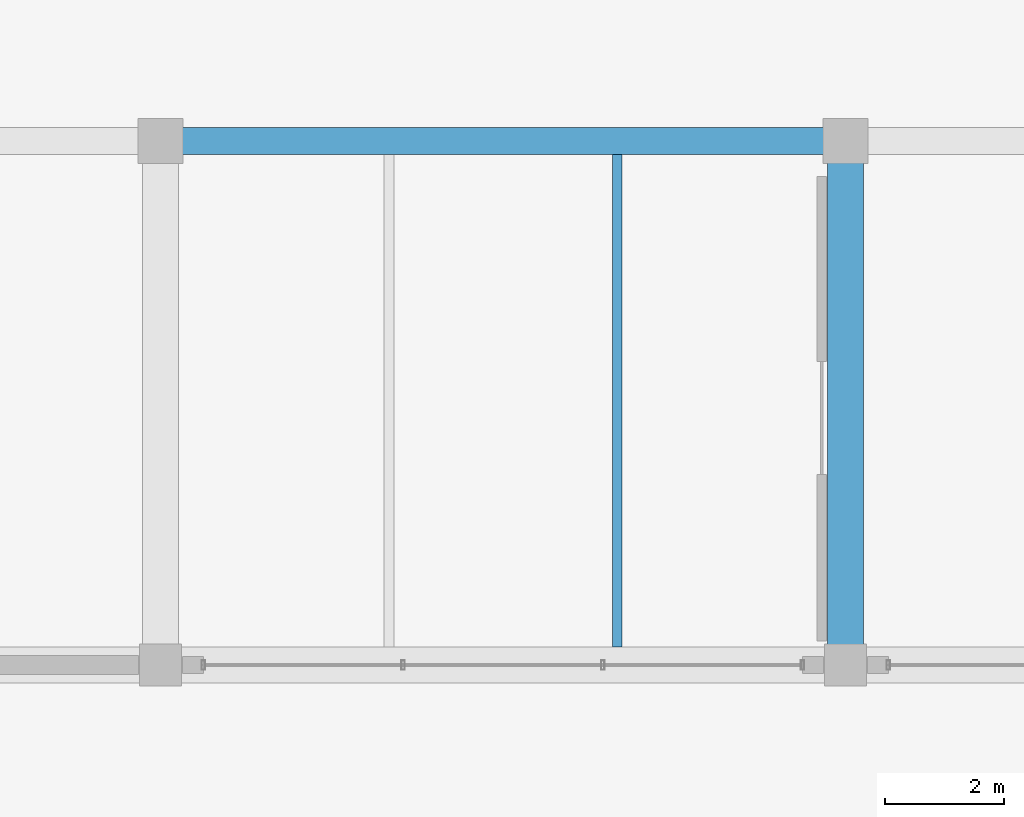
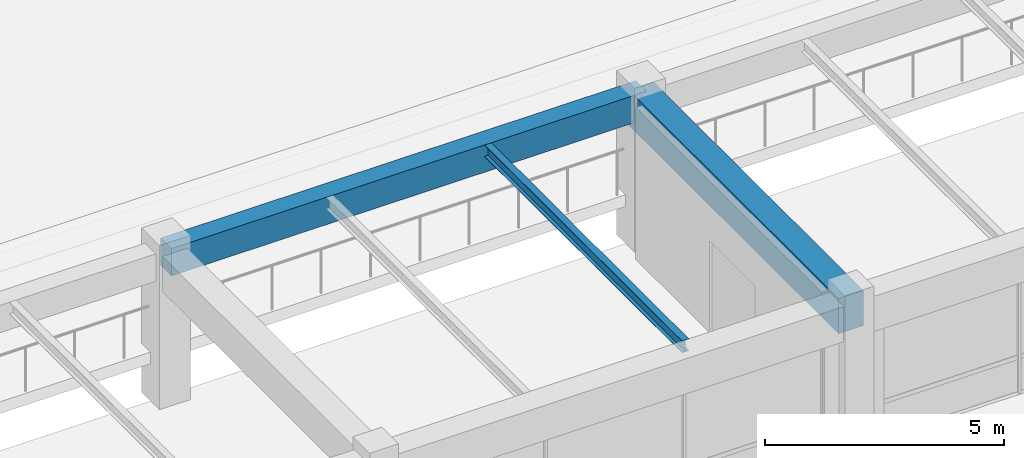
# One storey, part 10 of 109: 3 beams.
"""IFC4 building model written with IfcOpenShell, lengths in metres."""

from ifc_helpers import new_model, si_unit, direction, frame, origin, origin_2d, place, context, subcontext, project, spatial, rectangle, i_section, extrude, material, material_profile, profile_set, type_object, element, save


model = new_model("IFC4")

# Units and contexts
model_context = context("Model", 3, precision=1e-05, world=origin(), true_north=direction((0.0, 1.0)))
body_context = subcontext(model_context, "Body", "Model", "MODEL_VIEW")
ifc_project = project(units=[si_unit("LENGTHUNIT", "METRE"), si_unit("AREAUNIT", "SQUARE_METRE"), si_unit("VOLUMEUNIT", "CUBIC_METRE"), si_unit("PLANEANGLEUNIT", "RADIAN"), si_unit("MASSUNIT", "GRAM", prefix="KILO")], contexts=[model_context])

# Site, building, storey
site_placement = place(None, origin())
site = spatial("IfcSite", under=ifc_project, at=site_placement, CompositionType="ELEMENT")
building_placement = place(site_placement, origin())
building = spatial("IfcBuilding", under=site, at=building_placement, Name="Ologun Quay Terminus", CompositionType="ELEMENT")
storey_placement = place(building_placement, origin())
storey = spatial("IfcBuildingStorey", under=building, at=storey_placement, Name="L00", CompositionType="ELEMENT", Elevation=0.0)

# Beams
ifc_material_1 = material(Name="Steel S355", Category="steel")
ifc_material_profile_1 = material_profile(ifc_material_1, i_section(OverallWidth=0.1650390625, OverallDepth=0.303466796875, WebThickness=0.006103515625, FlangeThickness=0.01025390625, at=origin_2d()), Name="UKB 305x165x40")
ifc_profile_set_1 = profile_set([ifc_material_profile_1], Name="Steel S355")
beam_type_1 = type_object("IfcBeamType", Name="Mezzanine Steel Joist UKB305", PredefinedType="JOIST", material=ifc_profile_set_1)
beam_1_placement = place(storey_placement, frame((42.166748046875, 27.5, 3.748291015625), z_axis=(0.0, 1.0, 0.0), x_axis=(-1.0, 0.0, 0.0)))
element("IfcBeam", 1, at=beam_1_placement, inside=storey, type_object=beam_type_1, Name="SJ1 Beam 4/D L00", PredefinedType="JOIST", context=body_context, shape_type="SweptSolid", body=[
    extrude(i_section(OverallWidth=0.1650390625, OverallDepth=0.303466796875, WebThickness=0.006103515625, FlangeThickness=0.01025390625, at=origin_2d()), origin(), (0.0, 0.0, 1.0), 8.27490234375),
])
ifc_material_2 = material(Name="Concrete C40/50", Category="concrete")
ifc_material_profile_2 = material_profile(ifc_material_2, rectangle(XDim=0.449951171875, YDim=0.699951171875, at=origin_2d()), Name="RC 450x700")
ifc_profile_set_2 = profile_set([ifc_material_profile_2], Name="Concrete C40/50")
beam_type_2 = type_object("IfcBeamType", Name="Perimeter Spandrel Beam 450x700", PredefinedType="SPANDREL", material=ifc_profile_set_2)
beam_2_placement = place(storey_placement, frame((34.5, 36.0, 3.550048828125), z_axis=(1.0, 0.0, 0.0), x_axis=(0.0, 1.0, 0.0)))
element("IfcBeam", 2, at=beam_2_placement, inside=storey, type_object=beam_type_2, Name="SP1 Beam 4/E L00", PredefinedType="SPANDREL", context=body_context, shape_type="SweptSolid", body=[
    extrude(rectangle(XDim=0.449951171875, YDim=0.699951171875, at=origin_2d()), origin(), (0.0, 0.0, 1.0), 11.5),
])
ifc_material_3 = material(Name="Concrete C40/50", Category="concrete")
ifc_material_profile_3 = material_profile(ifc_material_3, rectangle(XDim=0.60009765625, YDim=0.89990234375, at=origin_2d()), Name="RC 600x900")
ifc_profile_set_3 = profile_set([ifc_material_profile_3], Name="Concrete C40/50")
beam_type_3 = type_object("IfcBeamType", Name="Station Frame Girder 600x900", PredefinedType="BEAM", material=ifc_profile_set_3)
beam_3_placement = place(storey_placement, frame((46.0, 27.199951171875, 3.449951171875), z_axis=(0.0, 1.0, 0.0), x_axis=(-1.0, 0.0, 0.0)))
element("IfcBeam", 3, at=beam_3_placement, inside=storey, type_object=beam_type_3, Name="B3 Beam 5/D L00", PredefinedType="BEAM", context=body_context, shape_type="SweptSolid", body=[
    extrude(rectangle(XDim=0.60009765625, YDim=0.89990234375, at=origin_2d()), origin(), (0.0, 0.0, 1.0), 8.800048828125),
])

save(model, "model.ifc")
